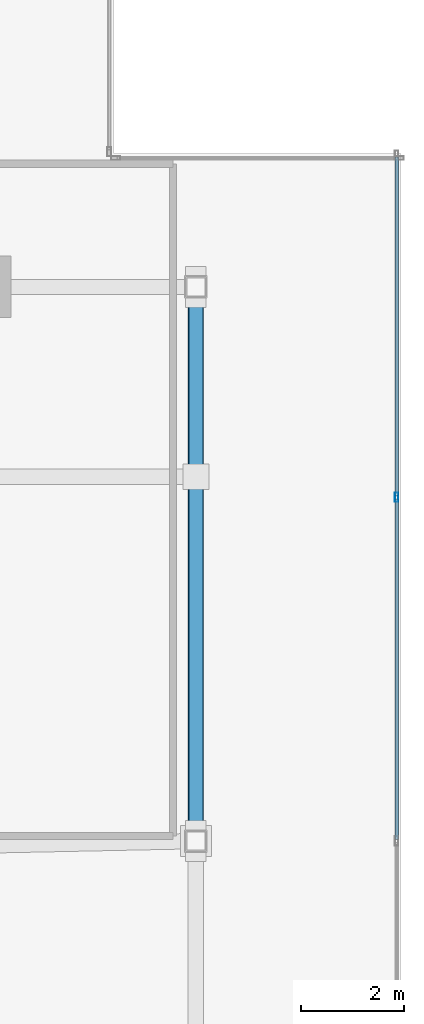
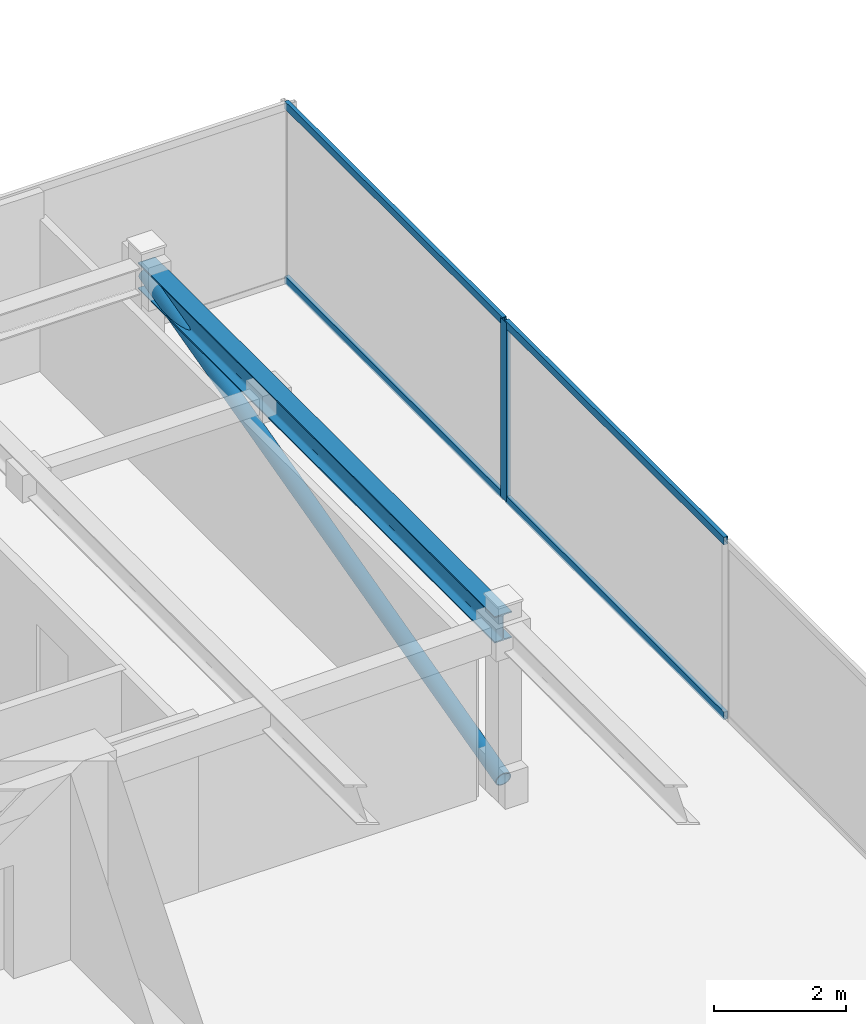
# One storey, part 18 of 25: 6 members, 1 beam, 1 element without a shape of its own.
"""IFC4 building model written with IfcOpenShell, lengths in metres."""

from ifc_helpers import new_model, si_unit, direction, frame, origin, origin_2d, place, context, subcontext, project, spatial, hollow_rectangle, hollow_circle, i_section, extrude, source, transform, mapped, material, material_profile, profile_set, type_object, type_shapes, element, aggregate, save


model = new_model("IFC4")

# Units and contexts
model_context = context("Model", 3, precision=1e-05, world=origin(), true_north=direction((0.0, 1.0)))
body_context = subcontext(model_context, "Body", "Model", "MODEL_VIEW")
ifc_project = project(units=[si_unit("LENGTHUNIT", "METRE"), si_unit("AREAUNIT", "SQUARE_METRE"), si_unit("VOLUMEUNIT", "CUBIC_METRE"), si_unit("PLANEANGLEUNIT", "RADIAN"), si_unit("MASSUNIT", "GRAM", prefix="KILO")], contexts=[model_context])

# Site, building, storey
site_placement = place(None, origin())
site = spatial("IfcSite", under=ifc_project, at=site_placement, CompositionType="ELEMENT")
building_placement = place(site_placement, origin())
building = spatial("IfcBuilding", under=site, at=building_placement, Name="Krantzveldt Concourse Tower", CompositionType="ELEMENT")
storey_placement = place(building_placement, frame((0.0, 0.0, 374.64990234375)))
storey = spatial("IfcBuildingStorey", under=building, at=storey_placement, Name="L92", CompositionType="ELEMENT", Elevation=374.64990234375)

# Beam
ifc_material_1 = material(Name="Steel S355JR", Category="steel")
ifc_material_profile_1 = material_profile(ifc_material_1, i_section(OverallWidth=0.300048828125, OverallDepth=0.489990234375, WebThickness=0.011962890625, FlangeThickness=0.02294921875, FilletRadius=0.027099609375, at=origin_2d()), Name="Steel S355JR", Category="steel")
ifc_profile_set_1 = profile_set([ifc_material_profile_1], Name="Steel S355JR - HEA 500")
beam_type = type_object("IfcBeamType", Name="BM-B-HEA500", PredefinedType="BEAM", material=ifc_profile_set_1)
shared_shape_1 = source(origin(), body_context, "Body", "SweptSolid", [
    extrude(i_section(OverallWidth=0.300048828125, OverallDepth=0.489990234375, WebThickness=0.011962890625, FlangeThickness=0.02294921875, FilletRadius=0.027099609375, at=origin_2d()), origin(), (0.0, 0.0, 1.0), 10.800048828125),
])
type_shapes(beam_type, [shared_shape_1])
beam_placement = place(storey_placement, frame((51.0, 26.699951171875, 3.05517578125), z_axis=(0.0, 1.0, 0.0), x_axis=(-1.0, 0.0, 0.0)))
element("IfcBeam", 1, at=beam_placement, inside=storey, type_object=beam_type, Name="L92 Crown Girder EAST-2", PredefinedType="BEAM", context=body_context, shape_type="MappedRepresentation", body=[
    mapped(shared_shape_1, transform((0.0, 0.0, 0.0), x_axis=(1.0, 0.0, 0.0), y_axis=(0.0, 1.0, 0.0), z_axis=(0.0, 0.0, 1.0), scale=1.0)),
])

# Member
ifc_material_2 = material(Name="Steel S355J2", Category="steel")
ifc_material_profile_2 = material_profile(ifc_material_2, hollow_circle(Radius=0.136474609375, WallThickness=0.01611328125, at=origin_2d()), Name="Steel S355J2", Category="steel")
ifc_profile_set_2 = profile_set([ifc_material_profile_2], Name="Steel S355J2 - CHS 273x16")
member_type_1 = type_object("IfcMemberType", Name="MB-CB-CHS273", PredefinedType="BRACE", material=ifc_profile_set_2)
shared_shape_2 = source(origin(), body_context, "Body", "SweptSolid", [
    extrude(hollow_circle(Radius=0.136474609375, WallThickness=0.01611328125, at=origin_2d()), origin(), (0.0, 0.0, 1.0), 11.1572265625),
])
type_shapes(member_type_1, [shared_shape_2])
member_1_placement = place(storey_placement, frame((51.0, 26.699951171875, 0.25), z_axis=(0.0, 0.967996110632, 0.250965196393), x_axis=(-1.0, 0.0, 0.0)))
element("IfcMember", 2, at=member_1_placement, inside=storey, type_object=member_type_1, Name="Brace Diagonal CBR-L92-EAST", PredefinedType="BRACE", context=body_context, shape_type="MappedRepresentation", body=[
    mapped(shared_shape_2, transform((0.0, 0.0, 0.0), x_axis=(1.0, 0.0, 0.0), y_axis=(0.0, 1.0, 0.0), z_axis=(0.0, 0.0, 1.0), scale=1.0)),
])

# Curtain wall, members
ifc_material_3 = material(Name="Anodised aluminium 6063-T6", Category="aluminium")
curtain_wall_type = type_object("IfcCurtainWallType", Name="CW7", PredefinedType="USERDEFINED", material=ifc_material_3)
curtain_wall_placement = place(storey_placement, origin())
curtain_wall = element("IfcCurtainWall", 3, at=curtain_wall_placement, inside=storey, type_object=curtain_wall_type, Name="CW-L92-EAST-03", ObjectType="UNITISED CURTAIN WALL", PredefinedType="USERDEFINED")
ifc_material_profile_3 = material_profile(ifc_material_3, hollow_rectangle(XDim=0.070068359375, YDim=0.139892578125, WallThickness=0.0048828125, at=origin_2d()), Name="Anodised aluminium 6063-T6", Category="aluminium")
ifc_profile_set_3 = profile_set([ifc_material_profile_3], Name="Anodised aluminium 6063-T6 - ALU-TRAN 140x70x5")
member_type_2 = type_object("IfcMemberType", Name="CW-TRN-150", PredefinedType="USERDEFINED", material=ifc_profile_set_3)
shared_shape_3 = source(origin(), body_context, "Body", "SweptSolid", [
    extrude(hollow_rectangle(XDim=0.070068359375, YDim=0.139892578125, WallThickness=0.0048828125, at=origin_2d()), origin(), (0.0, 0.0, 1.0), 6.594970703125),
])
member_2_placement = place(storey_placement, frame((54.909912109375, 33.43505859375, 0.03515625), z_axis=(0.0, 1.0, 0.0), x_axis=(-1.0, 0.0, 0.0)))
member_2 = element("IfcMember", 4, at=member_2_placement, type_object=member_type_2, Name="CW-CRN transom 4.1", ObjectType="TRANSOM", PredefinedType="USERDEFINED", context=body_context, shape_type="MappedRepresentation", body=[
    mapped(shared_shape_3, transform((0.0, 0.0, 0.0), x_axis=(1.0, 0.0, 0.0), y_axis=(0.0, 1.0, 0.0), z_axis=(0.0, 0.0, 1.0), scale=1.0)),
])
member_3_placement = place(storey_placement, frame((54.909912109375, 33.43505859375, 3.26513671875), z_axis=(0.0, 1.0, 0.0), x_axis=(-1.0, 0.0, 0.0)))
member_3 = element("IfcMember", 5, at=member_3_placement, type_object=member_type_2, Name="CW-CRN transom 4.2", ObjectType="TRANSOM", PredefinedType="USERDEFINED", context=body_context, shape_type="MappedRepresentation", body=[
    mapped(shared_shape_3, transform((0.0, 0.0, 0.0), x_axis=(1.0, 0.0, 0.0), y_axis=(0.0, 1.0, 0.0), z_axis=(0.0, 0.0, 1.0), scale=1.0)),
])
shared_shape_4 = source(origin(), body_context, "Body", "SweptSolid", [
    extrude(hollow_rectangle(XDim=0.070068359375, YDim=0.139892578125, WallThickness=0.0048828125, at=origin_2d()), origin(), (0.0, 0.0, 1.0), 6.6298828125),
])
type_shapes(member_type_2, [shared_shape_3, shared_shape_4])
member_4_placement = place(storey_placement, frame((54.909912109375, 26.735107421875, 0.03515625), z_axis=(0.0, 1.0, 0.0), x_axis=(-1.0, 0.0, 0.0)))
member_4 = element("IfcMember", 6, at=member_4_placement, type_object=member_type_2, Name="CW-CRN transom 3.1", ObjectType="TRANSOM", PredefinedType="USERDEFINED", context=body_context, shape_type="MappedRepresentation", body=[
    mapped(shared_shape_4, transform((0.0, 0.0, 0.0), x_axis=(1.0, 0.0, 0.0), y_axis=(0.0, 1.0, 0.0), z_axis=(0.0, 0.0, 1.0), scale=1.0)),
])
member_5_placement = place(storey_placement, frame((54.909912109375, 26.735107421875, 3.26513671875), z_axis=(0.0, 1.0, 0.0), x_axis=(-1.0, 0.0, 0.0)))
member_5 = element("IfcMember", 7, at=member_5_placement, type_object=member_type_2, Name="CW-CRN transom 3.2", ObjectType="TRANSOM", PredefinedType="USERDEFINED", context=body_context, shape_type="MappedRepresentation", body=[
    mapped(shared_shape_4, transform((0.0, 0.0, 0.0), x_axis=(1.0, 0.0, 0.0), y_axis=(0.0, 1.0, 0.0), z_axis=(0.0, 0.0, 1.0), scale=1.0)),
])
ifc_material_profile_4 = material_profile(ifc_material_3, hollow_rectangle(XDim=0.070068359375, YDim=0.179931640625, WallThickness=0.0048828125, at=origin_2d()), Name="Anodised aluminium 6063-T6", Category="aluminium")
ifc_profile_set_4 = profile_set([ifc_material_profile_4], Name="Anodised aluminium 6063-T6 - ALU-MULL 180x70x5")
member_type_3 = type_object("IfcMemberType", Name="CW-MUL-180", PredefinedType="MULLION", material=ifc_profile_set_4)
shared_shape_5 = source(origin(), body_context, "Body", "SweptSolid", [
    extrude(hollow_rectangle(XDim=0.070068359375, YDim=0.179931640625, WallThickness=0.0048828125, at=origin_2d()), origin(), (0.0, 0.0, 1.0), 3.300048828125),
])
type_shapes(member_type_3, [shared_shape_5])
member_6_placement = place(storey_placement, frame((54.909912109375, 33.39990234375, 0.0), z_axis=(0.0, 0.0, 1.0), x_axis=(-1.0, 0.0, 0.0)))
member_6 = element("IfcMember", 8, at=member_6_placement, type_object=member_type_3, Name="CW-CRN mullion 4", PredefinedType="MULLION", context=body_context, shape_type="MappedRepresentation", body=[
    mapped(shared_shape_5, transform((0.0, 0.0, 0.0), x_axis=(1.0, 0.0, 0.0), y_axis=(0.0, 1.0, 0.0), z_axis=(0.0, 0.0, 1.0), scale=1.0)),
])
aggregate(curtain_wall, [member_6, member_4, member_5, member_2, member_3])

save(model, "model.ifc")
